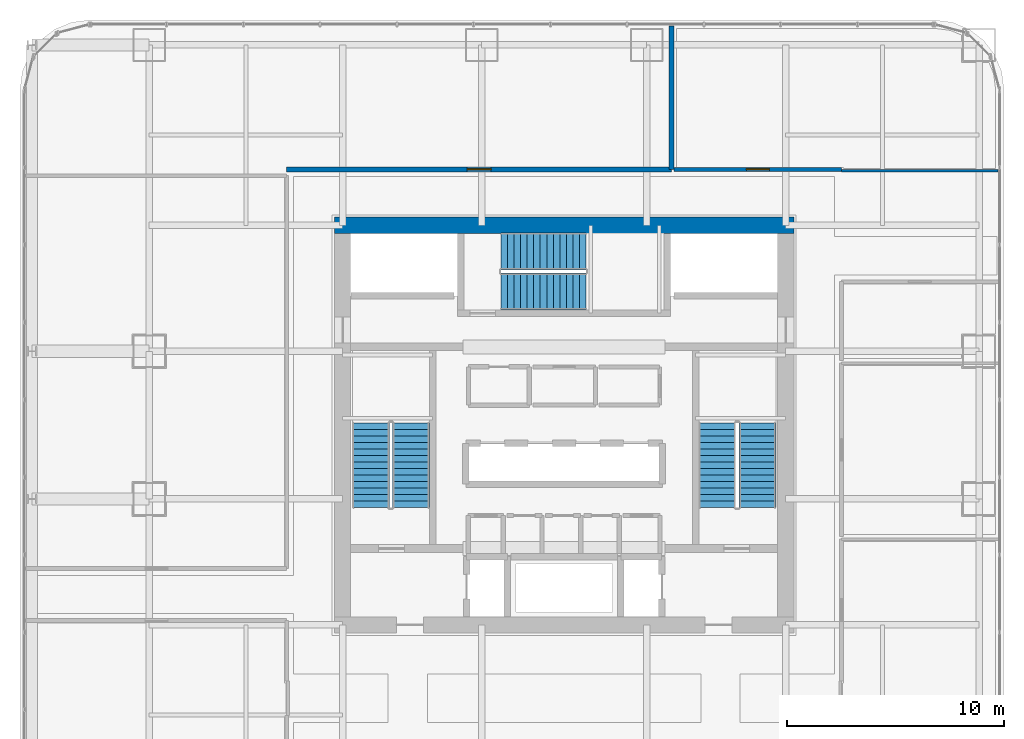
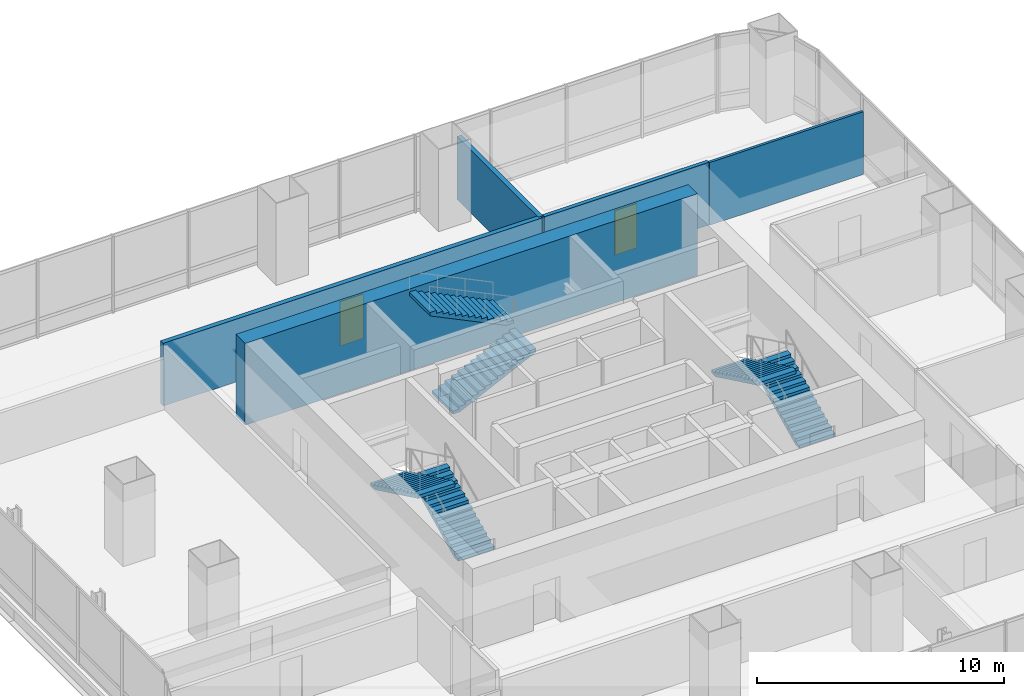
# One storey, part 30 of 35: 6 stair flights, 5 walls, 2 doors, 2 openings, 3 elements without a shape of their own.
"""IFC4 building model written with IfcOpenShell, lengths in metres."""

from ifc_helpers import new_model, si_unit, direction, frame, frame_2d, origin, place, context, subcontext, project, spatial, polyline, rectangle, outline, extrude, material, layer, layer_set, type_object, element, fill, aggregate, save


model = new_model("IFC4")

# Units and contexts
model_context = context("Model", 3, precision=1e-05, world=origin(), true_north=direction((0.0, 1.0)))
body_context = subcontext(model_context, "Body", "Model", "MODEL_VIEW")
ifc_project = project(units=[si_unit("LENGTHUNIT", "METRE"), si_unit("AREAUNIT", "SQUARE_METRE"), si_unit("VOLUMEUNIT", "CUBIC_METRE"), si_unit("PLANEANGLEUNIT", "RADIAN"), si_unit("MASSUNIT", "GRAM", prefix="KILO")], contexts=[model_context])

# Site, building, storey
site_placement = place(None, origin())
site = spatial("IfcSite", under=ifc_project, at=site_placement, CompositionType="ELEMENT")
building_placement = place(site_placement, origin())
building = spatial("IfcBuilding", under=site, at=building_placement, Name="Punatoya Terracotta Tower", CompositionType="ELEMENT")
storey_placement = place(building_placement, frame((0.0, 0.0, 52.5)))
storey = spatial("IfcBuildingStorey", under=building, at=storey_placement, Name="L11", CompositionType="ELEMENT", Elevation=52.5)

# Wall
ifc_material_1 = material(Name="Concrete C60/75", Category="concrete")
ifc_layer_1 = layer(ifc_material_1, 0.75)
ifc_layer_set_1 = layer_set([ifc_layer_1], Name="Concrete C60/75")
wall_type_1 = type_object("IfcWallType", Name="WL-COR-750", PredefinedType="SHEAR", material=ifc_layer_set_1)
wall_1_placement = place(storey_placement, frame((-10.574951171875, 9.199951171875, 0.0), z_axis=(0.0, 0.0, 1.0), x_axis=(1.0, 0.0, 0.0)))
element("IfcWall", 1, at=wall_1_placement, inside=storey, type_object=wall_type_1, Name="L11 Core Shear Wall N", PredefinedType="SHEAR", context=body_context, shape_type="SweptSolid", body=[
    extrude(rectangle(XDim=21.14990234375, YDim=0.75, at=frame_2d((10.574951171875, 0.0))), origin(), (0.0, 0.0, 1.0), 4.050048828125),
])

# Wall, opening, door
ifc_material_2 = material(Name="Gypsum Fireboard + Steel Stud", Category="steel")
ifc_layer_2 = layer(ifc_material_2, 0.179931640625)
ifc_layer_set_2 = layer_set([ifc_layer_2], Name="Gypsum Fireboard + Steel Stud")
wall_type_2 = type_object("IfcWallType", Name="WL-CORR-180", PredefinedType="PARTITIONING", material=ifc_layer_set_2)
wall_2_placement = place(storey_placement, frame((12.77001953125, 11.77001953125, 0.0), z_axis=(0.0, 0.0, 1.0), x_axis=(-1.0, 0.0, 0.0)))
wall_2 = element("IfcWall", 2, at=wall_2_placement, inside=storey, type_object=wall_type_2, Name="L11 Open-Plan Hydrology Modelling Laboratory Partition 45", PredefinedType="PARTITIONING", context=body_context, shape_type="SweptSolid", body=[
    extrude(rectangle(XDim=7.701904296875, YDim=0.179931640625, at=frame_2d((3.85107421875, 0.0))), origin(), (0.0, 0.0, 1.0), 3.10400390625),
])
opening_1_placement = place(wall_2_placement, frame((3.325927734375, 0.0, 0.0)))
opening_1 = element("IfcOpeningElement", 3, at=opening_1_placement, cuts=wall_2, Name="Opening OD-01", PredefinedType="OPENING", context=body_context, shape_type="SweptSolid", body=[
    extrude(rectangle(XDim=1.050048828125, YDim=2.199951171875, at=frame_2d((0.52490234375, 1.10009765625))), frame((0.0, 0.099853515625, 0.0), z_axis=(0.0, -1.0, 0.0), x_axis=(1.0, 0.0, 0.0)), (0.0, 0.0, 1.0), 0.199951171875),
])
ifc_material_3 = material(Name="Bengal Teak Solid-Core Leaf")
door_type_1 = type_object("IfcDoorType", Name="DR-OFF-1050", OperationType="NOTDEFINED", PredefinedType="DOOR", material=ifc_material_3)
door_1_placement = place(opening_1_placement, origin())
door_1 = element("IfcDoor", 4, at=door_1_placement, inside=storey, type_object=door_type_1, Name="L11 Open-Plan Hydrology Modelling Laboratory Door", OperationType="SINGLE_SWING_RIGHT", OverallHeight=2.199951171875, OverallWidth=1.050048828125, PredefinedType="DOOR", context=body_context, shape_type="SweptSolid", body=[
    extrude(rectangle(XDim=1.050048828125, YDim=2.199951171875, at=frame_2d((0.52490234375, 1.10009765625))), frame((0.0, 0.02490234375, 0.0), z_axis=(0.0, -1.0, 0.0), x_axis=(1.0, 0.0, 0.0)), (0.0, 0.0, 1.0), 0.050048828125),
])
fill(opening_1, door_1)

# Wall
ifc_material_4 = material(Name="Concrete C40/50", Category="concrete")
ifc_layer_3 = layer(ifc_material_4, 0.219970703125)
ifc_layer_set_3 = layer_set([ifc_layer_3], Name="Concrete C40/50")
wall_type_3 = type_object("IfcWallType", Name="WL-FIR-220", PredefinedType="SOLIDWALL", material=ifc_layer_set_3)
wall_3_placement = place(storey_placement, frame((4.947998046875, 18.3701171875, 0.0), z_axis=(0.0, 0.0, 1.0), x_axis=(0.0, -1.0, 0.0)))
element("IfcWall", 5, at=wall_3_placement, inside=storey, type_object=wall_type_3, Name="L11 Geospatial Data Archive Partition 42", PredefinedType="SOLIDWALL", context=body_context, shape_type="SweptSolid", body=[
    extrude(rectangle(XDim=6.60009765625, YDim=0.219970703125, at=frame_2d((3.300048828125, 0.0))), origin(), (0.0, 0.0, 1.0), 3.10400390625),
])

# Wall, opening, door
wall_4_placement = place(storey_placement, frame((4.947998046875, 11.77001953125, 0.0), z_axis=(0.0, 0.0, 1.0), x_axis=(-1.0, 0.0, 0.0)))
wall_4 = element("IfcWall", 6, at=wall_4_placement, inside=storey, type_object=wall_type_3, Name="L11 Geospatial Data Archive Partition 43", PredefinedType="SOLIDWALL", context=body_context, shape_type="SweptSolid", body=[
    extrude(rectangle(XDim=17.718017578125, YDim=0.219970703125, at=frame_2d((8.85888671875, 0.0))), origin(), (0.0, 0.0, 1.0), 3.10400390625),
])
opening_2_placement = place(wall_4_placement, frame((8.30908203125, 0.0, 0.0)))
opening_2 = element("IfcOpeningElement", 7, at=opening_2_placement, cuts=wall_4, Name="Opening FD-P1", PredefinedType="OPENING", context=body_context, shape_type="SweptSolid", body=[
    extrude(rectangle(XDim=1.10009765625, YDim=2.199951171875, at=frame_2d((0.550048828125, 1.10009765625))), frame((0.0, 0.119873046875, 0.0), z_axis=(0.0, -1.0, 0.0), x_axis=(1.0, 0.0, 0.0)), (0.0, 0.0, 1.0), 0.239990234375),
])
ifc_material_5 = material(Name="Galvanised Steel Plant Fire Door", Category="steel")
door_type_2 = type_object("IfcDoorType", Name="DR-PLT-1100", OperationType="NOTDEFINED", PredefinedType="DOOR", material=ifc_material_5)
door_2_placement = place(opening_2_placement, origin())
door_2 = element("IfcDoor", 8, at=door_2_placement, inside=storey, type_object=door_type_2, Name="L11 Geospatial Data Archive Fire Door", OperationType="SINGLE_SWING_LEFT", OverallHeight=2.199951171875, OverallWidth=1.10009765625, PredefinedType="DOOR", context=body_context, shape_type="SweptSolid", body=[
    extrude(rectangle(XDim=1.10009765625, YDim=2.199951171875, at=frame_2d((0.550048828125, 1.10009765625))), frame((0.0, 0.02490234375, 0.0), z_axis=(0.0, -1.0, 0.0), x_axis=(1.0, 0.0, 0.0)), (0.0, 0.0, 1.0), 0.050048828125),
])
fill(opening_2, door_2)

# Wall
ifc_material_6 = material(Name="Gypsum Partition + Steel Stud", Category="steel")
ifc_layer_4 = layer(ifc_material_6, 0.1201171875)
ifc_layer_set_4 = layer_set([ifc_layer_4], Name="Gypsum Partition + Steel Stud")
wall_type_4 = type_object("IfcWallType", Name="WL-OFF-120", PredefinedType="PARTITIONING", material=ifc_layer_set_4)
wall_5_placement = place(storey_placement, frame((19.969970703125, 11.7099609375, 0.0), z_axis=(0.0, 0.0, 1.0), x_axis=(-1.0, 0.0, 0.0)))
element("IfcWall", 9, at=wall_5_placement, inside=storey, type_object=wall_type_4, Name="L11 Open-Plan Hydrology Modelling Laboratory Partition 44", PredefinedType="PARTITIONING", context=body_context, shape_type="SweptSolid", body=[
    extrude(rectangle(XDim=7.199951171875, YDim=0.1201171875, at=frame_2d((3.60009765625, 0.0))), origin(), (0.0, 0.0, 1.0), 3.10400390625),
])

# Stair, stair flights
stair_type_1 = type_object("IfcStairType", Name="STR-CORE-1550", PredefinedType="HALF_TURN_STAIR", material=ifc_material_4)
stair_1_placement = place(storey_placement, origin())
stair_1 = element("IfcStair", 10, at=stair_1_placement, inside=storey, type_object=stair_type_1, Name="L11 Protected Core Exit Stair ST-1", PredefinedType="HALF_TURN_STAIR")
stair_flight_type_1 = type_object("IfcStairFlightType", Name="SFL-CORE-1550", PredefinedType="STRAIGHT", material=ifc_material_4)
stair_flight_1_placement = place(storey_placement, frame((-7.050048828125, -3.800048828125, 0.0), z_axis=(0.0, 0.0, 1.0), x_axis=(0.0, 1.0, 0.0)))
stair_flight_1 = element("IfcStairFlight", 11, at=stair_flight_1_placement, type_object=stair_flight_type_1, Name="ST-1 flight 1", NumberOfRisers=14, NumberOfTreads=13, PredefinedType="STRAIGHT", RiserHeight=0.144642857, TreadLength=0.3, context=body_context, shape_type="SweptSolid", body=[
    extrude(outline(polyline([(0.0, 0.0), (0.0, 0.14453125), (0.300048828125, 0.14453125), (0.300048828125, 0.289306640625), (0.60009765625, 0.289306640625), (0.60009765625, 0.433837890625), (0.89990234375, 0.433837890625), (0.89990234375, 0.57861328125), (1.199951171875, 0.57861328125), (1.199951171875, 0.72314453125), (1.5, 0.72314453125), (1.5, 0.867919921875), (1.800048828125, 0.867919921875), (1.800048828125, 1.012451171875), (2.10009765625, 1.012451171875), (2.10009765625, 1.1572265625), (2.39990234375, 1.1572265625), (2.39990234375, 1.3017578125), (2.699951171875, 1.3017578125), (2.699951171875, 1.446533203125), (3.0, 1.446533203125), (3.0, 1.591064453125), (3.300048828125, 1.591064453125), (3.300048828125, 1.735595703125), (3.60009765625, 1.735595703125), (3.60009765625, 1.88037109375), (3.89990234375, 1.88037109375), (3.89990234375, 2.02490234375), (3.89990234375, 1.7138671875), (0.34521484375, 0.0), (0.0, 0.0)])), frame((0.0, 0.85009765625, 0.0), z_axis=(0.0, -1.0, 0.0), x_axis=(1.0, 0.0, 0.0)), (0.0, 0.0, 1.0), 1.699951171875),
])
stair_flight_2_placement = place(storey_placement, frame((-8.89990234375, 0.10009765625, 2.02490234375), z_axis=(0.0, 0.0, 1.0), x_axis=(0.0, -1.0, 0.0)))
stair_flight_2 = element("IfcStairFlight", 12, at=stair_flight_2_placement, type_object=stair_flight_type_1, Name="ST-1 flight 2", NumberOfRisers=14, NumberOfTreads=13, PredefinedType="STRAIGHT", RiserHeight=0.144642857, TreadLength=0.3, context=body_context, shape_type="SweptSolid", body=[
    extrude(outline(polyline([(0.0, 0.0), (0.0, 0.14453125), (0.300048828125, 0.14453125), (0.300048828125, 0.289306640625), (0.60009765625, 0.289306640625), (0.60009765625, 0.433837890625), (0.89990234375, 0.433837890625), (0.89990234375, 0.57861328125), (1.199951171875, 0.57861328125), (1.199951171875, 0.72314453125), (1.5, 0.72314453125), (1.5, 0.867919921875), (1.800048828125, 0.867919921875), (1.800048828125, 1.012451171875), (2.10009765625, 1.012451171875), (2.10009765625, 1.1572265625), (2.39990234375, 1.1572265625), (2.39990234375, 1.3017578125), (2.699951171875, 1.3017578125), (2.699951171875, 1.446533203125), (3.0, 1.446533203125), (3.0, 1.591064453125), (3.300048828125, 1.591064453125), (3.300048828125, 1.735595703125), (3.60009765625, 1.735595703125), (3.60009765625, 1.88037109375), (3.89990234375, 1.88037109375), (3.89990234375, 2.02490234375), (3.89990234375, 1.7138671875), (0.34521484375, 0.0), (0.0, 0.0)])), frame((0.0, 0.85009765625, 0.0), z_axis=(0.0, -1.0, 0.0), x_axis=(1.0, 0.0, 0.0)), (0.0, 0.0, 1.0), 1.699951171875),
])
aggregate(stair_1, [stair_flight_1, stair_flight_2])

stair_type_2 = type_object("IfcStairType", Name="STR-LOB-1650", PredefinedType="HALF_TURN_STAIR", material=ifc_material_4)
stair_2_placement = place(storey_placement, origin())
stair_2 = element("IfcStair", 13, at=stair_2_placement, inside=storey, type_object=stair_type_2, Name="L11 Protected Core Exit Stair ST-2", PredefinedType="HALF_TURN_STAIR")
stair_flight_type_2 = type_object("IfcStairFlightType", Name="SFL-LOB-1650", PredefinedType="STRAIGHT", material=ifc_material_4)
stair_flight_3_placement = place(storey_placement, frame((8.89990234375, -3.800048828125, 0.0), z_axis=(0.0, 0.0, 1.0), x_axis=(0.0, 1.0, 0.0)))
stair_flight_3 = element("IfcStairFlight", 14, at=stair_flight_3_placement, type_object=stair_flight_type_2, Name="ST-2 flight 1", NumberOfRisers=14, NumberOfTreads=13, PredefinedType="STRAIGHT", RiserHeight=0.144642857, TreadLength=0.3, context=body_context, shape_type="SweptSolid", body=[
    extrude(outline(polyline([(0.0, 0.0), (0.0, 0.14453125), (0.300048828125, 0.14453125), (0.300048828125, 0.289306640625), (0.60009765625, 0.289306640625), (0.60009765625, 0.433837890625), (0.89990234375, 0.433837890625), (0.89990234375, 0.57861328125), (1.199951171875, 0.57861328125), (1.199951171875, 0.72314453125), (1.5, 0.72314453125), (1.5, 0.867919921875), (1.800048828125, 0.867919921875), (1.800048828125, 1.012451171875), (2.10009765625, 1.012451171875), (2.10009765625, 1.1572265625), (2.39990234375, 1.1572265625), (2.39990234375, 1.3017578125), (2.699951171875, 1.3017578125), (2.699951171875, 1.446533203125), (3.0, 1.446533203125), (3.0, 1.591064453125), (3.300048828125, 1.591064453125), (3.300048828125, 1.735595703125), (3.60009765625, 1.735595703125), (3.60009765625, 1.88037109375), (3.89990234375, 1.88037109375), (3.89990234375, 2.02490234375), (3.89990234375, 1.7138671875), (0.34521484375, 0.0), (0.0, 0.0)])), frame((0.0, 0.85009765625, 0.0), z_axis=(0.0, -1.0, 0.0), x_axis=(1.0, 0.0, 0.0)), (0.0, 0.0, 1.0), 1.699951171875),
])
stair_flight_4_placement = place(storey_placement, frame((7.050048828125, 0.10009765625, 2.02490234375), z_axis=(0.0, 0.0, 1.0), x_axis=(0.0, -1.0, 0.0)))
stair_flight_4 = element("IfcStairFlight", 15, at=stair_flight_4_placement, type_object=stair_flight_type_2, Name="ST-2 flight 2", NumberOfRisers=14, NumberOfTreads=13, PredefinedType="STRAIGHT", RiserHeight=0.144642857, TreadLength=0.3, context=body_context, shape_type="SweptSolid", body=[
    extrude(outline(polyline([(0.0, 0.0), (0.0, 0.14453125), (0.300048828125, 0.14453125), (0.300048828125, 0.289306640625), (0.60009765625, 0.289306640625), (0.60009765625, 0.433837890625), (0.89990234375, 0.433837890625), (0.89990234375, 0.57861328125), (1.199951171875, 0.57861328125), (1.199951171875, 0.72314453125), (1.5, 0.72314453125), (1.5, 0.867919921875), (1.800048828125, 0.867919921875), (1.800048828125, 1.012451171875), (2.10009765625, 1.012451171875), (2.10009765625, 1.1572265625), (2.39990234375, 1.1572265625), (2.39990234375, 1.3017578125), (2.699951171875, 1.3017578125), (2.699951171875, 1.446533203125), (3.0, 1.446533203125), (3.0, 1.591064453125), (3.300048828125, 1.591064453125), (3.300048828125, 1.735595703125), (3.60009765625, 1.735595703125), (3.60009765625, 1.88037109375), (3.89990234375, 1.88037109375), (3.89990234375, 2.02490234375), (3.89990234375, 1.7138671875), (0.34521484375, 0.0), (0.0, 0.0)])), frame((0.0, 0.85009765625, 0.0), z_axis=(0.0, -1.0, 0.0), x_axis=(1.0, 0.0, 0.0)), (0.0, 0.0, 1.0), 1.699951171875),
])
aggregate(stair_2, [stair_flight_3, stair_flight_4])

stair_type_3 = type_object("IfcStairType", Name="STR-TER-1450", PredefinedType="HALF_TURN_STAIR", material=ifc_material_4)
stair_3_placement = place(storey_placement, origin())
stair_3 = element("IfcStair", 16, at=stair_3_placement, inside=storey, type_object=stair_type_3, Name="L11 Protected Core Exit Stair ST-3", PredefinedType="HALF_TURN_STAIR")
stair_flight_type_3 = type_object("IfcStairFlightType", Name="SFL-TER-1450", PredefinedType="STRAIGHT", material=ifc_material_4)
stair_flight_5_placement = place(storey_placement, frame((-2.89990234375, 6.14990234375, 0.0), z_axis=(0.0, 0.0, 1.0), x_axis=(1.0, 0.0, 0.0)))
stair_flight_5 = element("IfcStairFlight", 17, at=stair_flight_5_placement, type_object=stair_flight_type_3, Name="ST-3 flight 1", NumberOfRisers=14, NumberOfTreads=13, PredefinedType="STRAIGHT", RiserHeight=0.144642857, TreadLength=0.3, context=body_context, shape_type="SweptSolid", body=[
    extrude(outline(polyline([(0.0, 0.0), (0.0, 0.14453125), (0.300048828125, 0.14453125), (0.300048828125, 0.289306640625), (0.60009765625, 0.289306640625), (0.60009765625, 0.433837890625), (0.89990234375, 0.433837890625), (0.89990234375, 0.57861328125), (1.199951171875, 0.57861328125), (1.199951171875, 0.72314453125), (1.5, 0.72314453125), (1.5, 0.867919921875), (1.800048828125, 0.867919921875), (1.800048828125, 1.012451171875), (2.10009765625, 1.012451171875), (2.10009765625, 1.1572265625), (2.39990234375, 1.1572265625), (2.39990234375, 1.3017578125), (2.699951171875, 1.3017578125), (2.699951171875, 1.446533203125), (3.0, 1.446533203125), (3.0, 1.591064453125), (3.300048828125, 1.591064453125), (3.300048828125, 1.735595703125), (3.60009765625, 1.735595703125), (3.60009765625, 1.88037109375), (3.89990234375, 1.88037109375), (3.89990234375, 2.02490234375), (3.89990234375, 1.7138671875), (0.34521484375, 0.0), (0.0, 0.0)])), frame((0.0, 0.85009765625, 0.0), z_axis=(0.0, -1.0, 0.0), x_axis=(1.0, 0.0, 0.0)), (0.0, 0.0, 1.0), 1.699951171875),
])
stair_flight_6_placement = place(storey_placement, frame((1.0, 8.0, 2.02490234375), z_axis=(0.0, 0.0, 1.0), x_axis=(-1.0, 0.0, 0.0)))
stair_flight_6 = element("IfcStairFlight", 18, at=stair_flight_6_placement, type_object=stair_flight_type_3, Name="ST-3 flight 2", NumberOfRisers=14, NumberOfTreads=13, PredefinedType="STRAIGHT", RiserHeight=0.144642857, TreadLength=0.3, context=body_context, shape_type="SweptSolid", body=[
    extrude(outline(polyline([(0.0, 0.0), (0.0, 0.14453125), (0.300048828125, 0.14453125), (0.300048828125, 0.289306640625), (0.60009765625, 0.289306640625), (0.60009765625, 0.433837890625), (0.89990234375, 0.433837890625), (0.89990234375, 0.57861328125), (1.199951171875, 0.57861328125), (1.199951171875, 0.72314453125), (1.5, 0.72314453125), (1.5, 0.867919921875), (1.800048828125, 0.867919921875), (1.800048828125, 1.012451171875), (2.10009765625, 1.012451171875), (2.10009765625, 1.1572265625), (2.39990234375, 1.1572265625), (2.39990234375, 1.3017578125), (2.699951171875, 1.3017578125), (2.699951171875, 1.446533203125), (3.0, 1.446533203125), (3.0, 1.591064453125), (3.300048828125, 1.591064453125), (3.300048828125, 1.735595703125), (3.60009765625, 1.735595703125), (3.60009765625, 1.88037109375), (3.89990234375, 1.88037109375), (3.89990234375, 2.02490234375), (3.89990234375, 1.7138671875), (0.34521484375, 0.0), (0.0, 0.0)])), frame((0.0, 0.85009765625, 0.0), z_axis=(0.0, -1.0, 0.0), x_axis=(1.0, 0.0, 0.0)), (0.0, 0.0, 1.0), 1.699951171875),
])
aggregate(stair_3, [stair_flight_5, stair_flight_6])

save(model, "model.ifc")
